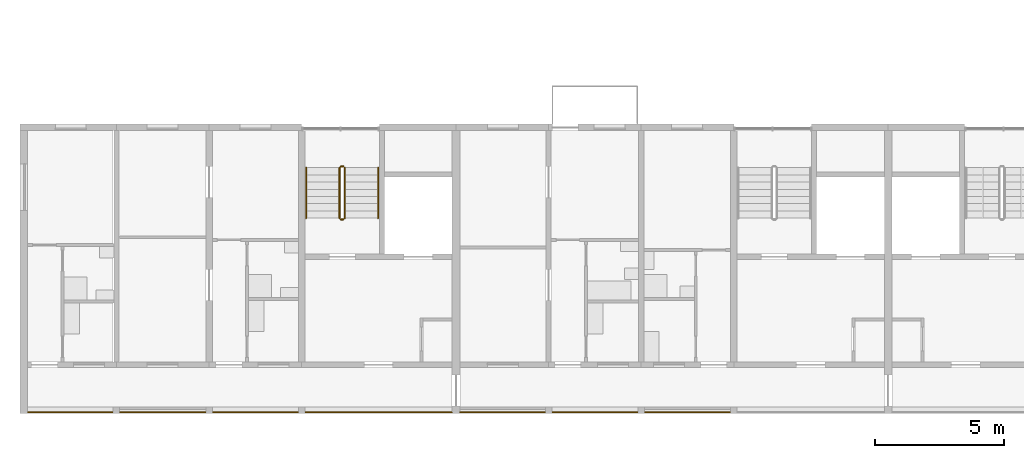
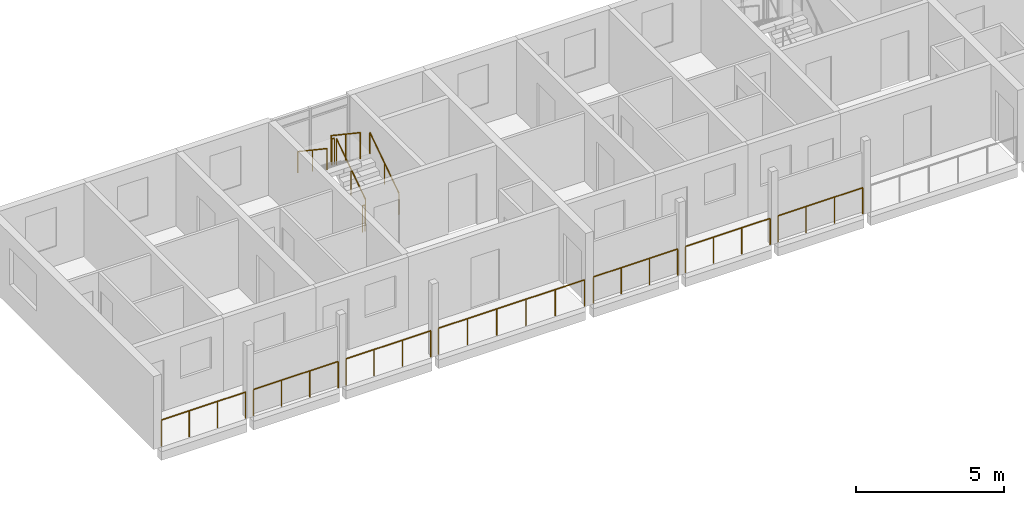
# One storey, part 77 of 99: 13 railings.
"""IFC4 building model written with IfcOpenShell, lengths in metres."""

from ifc_helpers import new_model, si_unit, direction, frame, origin, origin_2d, place, context, subcontext, project, spatial, circle, extrude, material, type_object, element, save


model = new_model("IFC4")

# Units and contexts
model_context = context("Model", 3, precision=1e-05, world=origin(), true_north=direction((0.0, 1.0)))
body_context = subcontext(model_context, "Body", "Model", "MODEL_VIEW")
ifc_project = project(units=[si_unit("LENGTHUNIT", "METRE"), si_unit("AREAUNIT", "SQUARE_METRE"), si_unit("VOLUMEUNIT", "CUBIC_METRE"), si_unit("PLANEANGLEUNIT", "RADIAN"), si_unit("MASSUNIT", "GRAM", prefix="KILO")], contexts=[model_context])

# Site, building, storey
site_placement = place(None, origin())
site = spatial("IfcSite", under=ifc_project, at=site_placement, CompositionType="ELEMENT")
building_placement = place(site_placement, origin())
building = spatial("IfcBuilding", under=site, at=building_placement, Name="Ridgestep Commons", CompositionType="ELEMENT")
storey_placement = place(building_placement, frame((0.0, 0.0, 15.0)))
storey = spatial("IfcBuildingStorey", under=building, at=storey_placement, Name="L05", CompositionType="ELEMENT", Elevation=15.0)

# Railings
ifc_material_1 = material(Name="Structural steel S355JR", Category="steel")
railing_type_1 = type_object("IfcRailingType", Name="Guard 1100", PredefinedType="GUARDRAIL", material=ifc_material_1)
railing_1_placement = place(storey_placement, frame((12.1708984375, 11.800048828125, 0.0)))
element("IfcRailing", 1, at=railing_1_placement, inside=storey, type_object=railing_type_1, Name="Gallery guard A 05.1", PredefinedType="GUARDRAIL", context=body_context, shape_type="SweptSolid", body=[
    extrude(circle(Radius=0.02392578125, at=origin_2d()), frame((0.0, 0.0, 1.076171875), z_axis=(1.0, 0.0, 0.0), x_axis=(0.0, 1.0, 0.0)), (0.0, 0.0, 1.0), 3.283203125),
    extrude(circle(Radius=0.02099609375, at=origin_2d()), origin(), (0.0, 0.0, 1.0), 1.052001953125),
    extrude(circle(Radius=0.02099609375, at=origin_2d()), frame((1.094482421875, 0.0, 0.0)), (0.0, 0.0, 1.0), 1.052001953125),
    extrude(circle(Radius=0.02099609375, at=origin_2d()), frame((2.188720703125, 0.0, 0.0)), (0.0, 0.0, 1.0), 1.052001953125),
    extrude(circle(Radius=0.02099609375, at=origin_2d()), frame((3.283203125, 0.0, 0.0)), (0.0, 0.0, 1.0), 1.052001953125),
])
railing_2_placement = place(storey_placement, frame((15.74609375, 11.800048828125, 0.0)))
element("IfcRailing", 2, at=railing_2_placement, inside=storey, type_object=railing_type_1, Name="Gallery guard A 05.2", PredefinedType="GUARDRAIL", context=body_context, shape_type="SweptSolid", body=[
    extrude(circle(Radius=0.02392578125, at=origin_2d()), frame((0.0, 0.0, 1.076171875), z_axis=(1.0, 0.0, 0.0), x_axis=(0.0, 1.0, 0.0)), (0.0, 0.0, 1.0), 3.307861328125),
    extrude(circle(Radius=0.02099609375, at=origin_2d()), origin(), (0.0, 0.0, 1.0), 1.052001953125),
    extrude(circle(Radius=0.02099609375, at=origin_2d()), frame((1.1025390625, 0.0, 0.0)), (0.0, 0.0, 1.0), 1.052001953125),
    extrude(circle(Radius=0.02099609375, at=origin_2d()), frame((2.205322265625, 0.0, 0.0)), (0.0, 0.0, 1.0), 1.052001953125),
    extrude(circle(Radius=0.02099609375, at=origin_2d()), frame((3.307861328125, 0.0, 0.0)), (0.0, 0.0, 1.0), 1.052001953125),
])
railing_3_placement = place(storey_placement, frame((19.345947265625, 11.800048828125, 0.0)))
element("IfcRailing", 3, at=railing_3_placement, inside=storey, type_object=railing_type_1, Name="Gallery guard A 05.3", PredefinedType="GUARDRAIL", context=body_context, shape_type="SweptSolid", body=[
    extrude(circle(Radius=0.02392578125, at=origin_2d()), frame((0.0, 0.0, 1.076171875), z_axis=(1.0, 0.0, 0.0), x_axis=(0.0, 1.0, 0.0)), (0.0, 0.0, 1.0), 3.30810546875),
    extrude(circle(Radius=0.02099609375, at=origin_2d()), origin(), (0.0, 0.0, 1.0), 1.052001953125),
    extrude(circle(Radius=0.02099609375, at=origin_2d()), frame((1.102783203125, 0.0, 0.0)), (0.0, 0.0, 1.0), 1.052001953125),
    extrude(circle(Radius=0.02099609375, at=origin_2d()), frame((2.205322265625, 0.0, 0.0)), (0.0, 0.0, 1.0), 1.052001953125),
    extrude(circle(Radius=0.02099609375, at=origin_2d()), frame((3.30810546875, 0.0, 0.0)), (0.0, 0.0, 1.0), 1.052001953125),
])
railing_4_placement = place(storey_placement, frame((22.946044921875, 11.800048828125, 0.0)))
element("IfcRailing", 4, at=railing_4_placement, inside=storey, type_object=railing_type_1, Name="Gallery guard A 05.4", PredefinedType="GUARDRAIL", context=body_context, shape_type="SweptSolid", body=[
    extrude(circle(Radius=0.02392578125, at=origin_2d()), frame((0.0, 0.0, 1.076171875), z_axis=(1.0, 0.0, 0.0), x_axis=(0.0, 1.0, 0.0)), (0.0, 0.0, 1.0), 5.682861328125),
    extrude(circle(Radius=0.02099609375, at=origin_2d()), origin(), (0.0, 0.0, 1.0), 1.052001953125),
    extrude(circle(Radius=0.02099609375, at=origin_2d()), frame((1.136474609375, 0.0, 0.0)), (0.0, 0.0, 1.0), 1.052001953125),
    extrude(circle(Radius=0.02099609375, at=origin_2d()), frame((2.273193359375, 0.0, 0.0)), (0.0, 0.0, 1.0), 1.052001953125),
    extrude(circle(Radius=0.02099609375, at=origin_2d()), frame((3.40966796875, 0.0, 0.0)), (0.0, 0.0, 1.0), 1.052001953125),
    extrude(circle(Radius=0.02099609375, at=origin_2d()), frame((4.54638671875, 0.0, 0.0)), (0.0, 0.0, 1.0), 1.052001953125),
    extrude(circle(Radius=0.02099609375, at=origin_2d()), frame((5.682861328125, 0.0, 0.0)), (0.0, 0.0, 1.0), 1.052001953125),
])
railing_5_placement = place(storey_placement, frame((28.970947265625, 11.800048828125, 0.0)))
element("IfcRailing", 5, at=railing_5_placement, inside=storey, type_object=railing_type_1, Name="Gallery guard A 05.5", PredefinedType="GUARDRAIL", context=body_context, shape_type="SweptSolid", body=[
    extrude(circle(Radius=0.02392578125, at=origin_2d()), frame((0.0, 0.0, 1.076171875), z_axis=(1.0, 0.0, 0.0), x_axis=(0.0, 1.0, 0.0)), (0.0, 0.0, 1.0), 3.282958984375),
    extrude(circle(Radius=0.02099609375, at=origin_2d()), origin(), (0.0, 0.0, 1.0), 1.052001953125),
    extrude(circle(Radius=0.02099609375, at=origin_2d()), frame((1.09423828125, 0.0, 0.0)), (0.0, 0.0, 1.0), 1.052001953125),
    extrude(circle(Radius=0.02099609375, at=origin_2d()), frame((2.188720703125, 0.0, 0.0)), (0.0, 0.0, 1.0), 1.052001953125),
    extrude(circle(Radius=0.02099609375, at=origin_2d()), frame((3.282958984375, 0.0, 0.0)), (0.0, 0.0, 1.0), 1.052001953125),
])
for number, where, name in (
    (6, (32.5458984375, 11.800048828125, 0.0), "Gallery guard A 05.6"),
    (7, (36.14599609375, 11.800048828125, 0.0), "Gallery guard A 05.7"),
):
    element("IfcRailing", number, at=place(storey_placement, frame(where)), inside=storey, type_object=railing_type_1, Name=name, PredefinedType="GUARDRAIL", context=body_context, shape_type="SweptSolid", body=[
        extrude(circle(Radius=0.02392578125, at=origin_2d()), frame((0.0, 0.0, 1.076171875), z_axis=(1.0, 0.0, 0.0), x_axis=(0.0, 1.0, 0.0)), (0.0, 0.0, 1.0), 3.30810546875),
        extrude(circle(Radius=0.02099609375, at=origin_2d()), origin(), (0.0, 0.0, 1.0), 1.052001953125),
        extrude(circle(Radius=0.02099609375, at=origin_2d()), frame((1.102783203125, 0.0, 0.0)), (0.0, 0.0, 1.0), 1.052001953125),
        extrude(circle(Radius=0.02099609375, at=origin_2d()), frame((2.205322265625, 0.0, 0.0)), (0.0, 0.0, 1.0), 1.052001953125),
        extrude(circle(Radius=0.02099609375, at=origin_2d()), frame((3.30810546875, 0.0, 0.0)), (0.0, 0.0, 1.0), 1.052001953125),
    ])
ifc_material_2 = material(Name="Structural steel S355JR", Category="steel")
railing_type_2 = type_object("IfcRailingType", Name="Stair guard 1100", PredefinedType="GUARDRAIL", material=ifc_material_2)
railing_6_placement = place(storey_placement, frame((24.47509765625, 19.35009765625, 0.1875)))
element("IfcRailing", 8, at=railing_6_placement, inside=storey, type_object=railing_type_2, Name="L05 A1C stair guard 1", PredefinedType="GUARDRAIL", context=body_context, shape_type="SweptSolid", body=[
    extrude(circle(Radius=0.02392578125, at=origin_2d()), frame((0.0, 0.0, 1.076171875), z_axis=(0.0, 0.830902050051, 0.556418712142), x_axis=(-1.0, 0.0, 0.0)), (0.0, 0.0, 1.0), 2.35888671875),
    extrude(circle(Radius=0.02099609375, at=origin_2d()), origin(), (0.0, 0.0, 1.0), 1.052001953125),
    extrude(circle(Radius=0.02099609375, at=origin_2d()), frame((0.0, 0.97998046875, 0.65625)), (0.0, 0.0, 1.0), 1.052001953125),
    extrude(circle(Radius=0.02099609375, at=origin_2d()), frame((0.0, 1.9599609375, 1.3125)), (0.0, 0.0, 1.0), 1.052001953125),
])
railing_7_placement = place(storey_placement, frame((24.425048828125, 21.360107421875, 1.5)))
element("IfcRailing", 9, at=railing_7_placement, inside=storey, type_object=railing_type_2, Name="L05 A1C stair guard 2", PredefinedType="GUARDRAIL", context=body_context, shape_type="SweptSolid", body=[
    extrude(circle(Radius=0.02392578125, at=origin_2d()), frame((0.0, 0.0, 1.076171875), z_axis=(-1.0, 0.0, 0.0), x_axis=(0.0, -1.0, 0.0)), (0.0, 0.0, 1.0), 0.10009765625),
    extrude(circle(Radius=0.02099609375, at=origin_2d()), origin(), (0.0, 0.0, 1.0), 1.052001953125),
    extrude(circle(Radius=0.02099609375, at=origin_2d()), frame((-0.10009765625, 0.0, 0.0)), (0.0, 0.0, 1.0), 1.052001953125),
])
railing_8_placement = place(storey_placement, frame((24.27490234375, 21.31005859375, 1.6875)))
element("IfcRailing", 10, at=railing_8_placement, inside=storey, type_object=railing_type_2, Name="L05 A1C stair guard 3", PredefinedType="GUARDRAIL", context=body_context, shape_type="SweptSolid", body=[
    extrude(circle(Radius=0.02392578125, at=origin_2d()), frame((0.0, 0.0, 1.076171875), z_axis=(0.0, -0.830902050051, 0.556418712142), x_axis=(1.0, 0.0, 0.0)), (0.0, 0.0, 1.0), 2.35888671875),
    extrude(circle(Radius=0.02099609375, at=origin_2d()), origin(), (0.0, 0.0, 1.0), 1.052001953125),
    extrude(circle(Radius=0.02099609375, at=origin_2d()), frame((0.0, -0.97998046875, 0.65625)), (0.0, 0.0, 1.0), 1.052001953125),
    extrude(circle(Radius=0.02099609375, at=origin_2d()), frame((0.0, -1.9599609375, 1.3125)), (0.0, 0.0, 1.0), 1.052001953125),
])
railing_9_placement = place(storey_placement, frame((24.425048828125, 19.300048828125, 0.0)))
element("IfcRailing", 11, at=railing_9_placement, inside=storey, type_object=railing_type_2, Name="L05 A1C stair guard 4", PredefinedType="GUARDRAIL", context=body_context, shape_type="SweptSolid", body=[
    extrude(circle(Radius=0.02392578125, at=origin_2d()), frame((0.0, 0.0, 1.076171875), z_axis=(-1.0, 0.0, 0.0), x_axis=(0.0, -1.0, 0.0)), (0.0, 0.0, 1.0), 0.10009765625),
    extrude(circle(Radius=0.02099609375, at=origin_2d()), origin(), (0.0, 0.0, 1.0), 1.052001953125),
    extrude(circle(Radius=0.02099609375, at=origin_2d()), frame((-0.10009765625, 0.0, 0.0)), (0.0, 0.0, 1.0), 1.052001953125),
])
ifc_material_3 = material(Name="Structural steel S355JR", Category="steel")
railing_type_3 = type_object("IfcRailingType", Name="Stair handrail 900", PredefinedType="HANDRAIL", material=ifc_material_3)
railing_10_placement = place(storey_placement, frame((25.77490234375, 19.35009765625, 0.1875)))
element("IfcRailing", 12, at=railing_10_placement, inside=storey, type_object=railing_type_3, Name="L05 A1C stair handrail 1", PredefinedType="HANDRAIL", context=body_context, shape_type="SweptSolid", body=[
    extrude(circle(Radius=0.02392578125, at=origin_2d()), frame((0.0, 0.0, 0.8759765625), z_axis=(0.0, 0.830902050051, 0.556418712142), x_axis=(-1.0, 0.0, 0.0)), (0.0, 0.0, 1.0), 2.35888671875),
    extrude(circle(Radius=0.02099609375, at=origin_2d()), origin(), (0.0, 0.0, 1.0), 0.851806640625),
    extrude(circle(Radius=0.02099609375, at=origin_2d()), frame((0.0, 0.97998046875, 0.65625)), (0.0, 0.0, 1.0), 0.851806640625),
    extrude(circle(Radius=0.02099609375, at=origin_2d()), frame((0.0, 1.9599609375, 1.3125)), (0.0, 0.0, 1.0), 0.851806640625),
])
railing_11_placement = place(storey_placement, frame((22.97509765625, 21.31005859375, 1.6875)))
element("IfcRailing", 13, at=railing_11_placement, inside=storey, type_object=railing_type_3, Name="L05 A1C stair handrail 2", PredefinedType="HANDRAIL", context=body_context, shape_type="SweptSolid", body=[
    extrude(circle(Radius=0.02392578125, at=origin_2d()), frame((0.0, 0.0, 0.8759765625), z_axis=(0.0, -0.830902050051, 0.556418712142), x_axis=(1.0, 0.0, 0.0)), (0.0, 0.0, 1.0), 2.35888671875),
    extrude(circle(Radius=0.02099609375, at=origin_2d()), origin(), (0.0, 0.0, 1.0), 0.851806640625),
    extrude(circle(Radius=0.02099609375, at=origin_2d()), frame((0.0, -0.97998046875, 0.65625)), (0.0, 0.0, 1.0), 0.851806640625),
    extrude(circle(Radius=0.02099609375, at=origin_2d()), frame((0.0, -1.9599609375, 1.3125)), (0.0, 0.0, 1.0), 0.851806640625),
])

save(model, "model.ifc")
